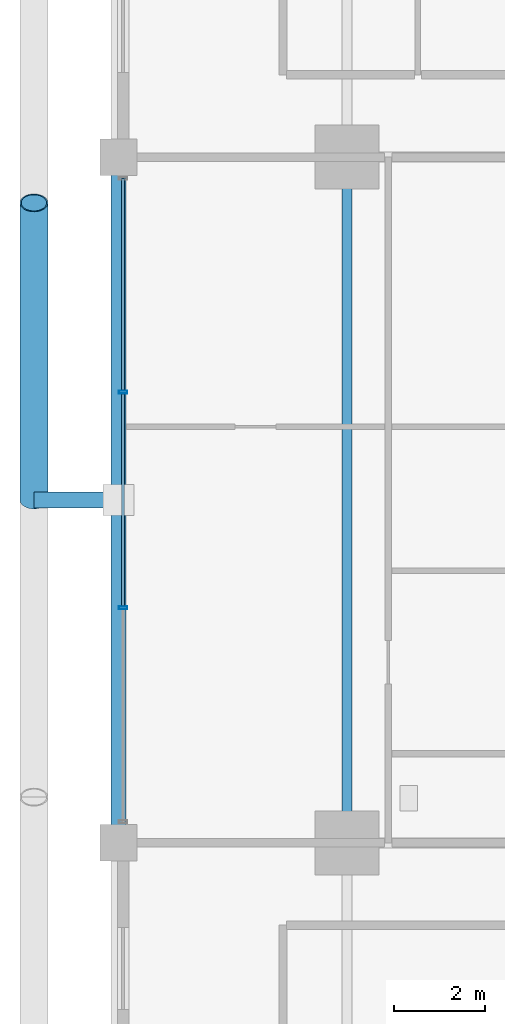
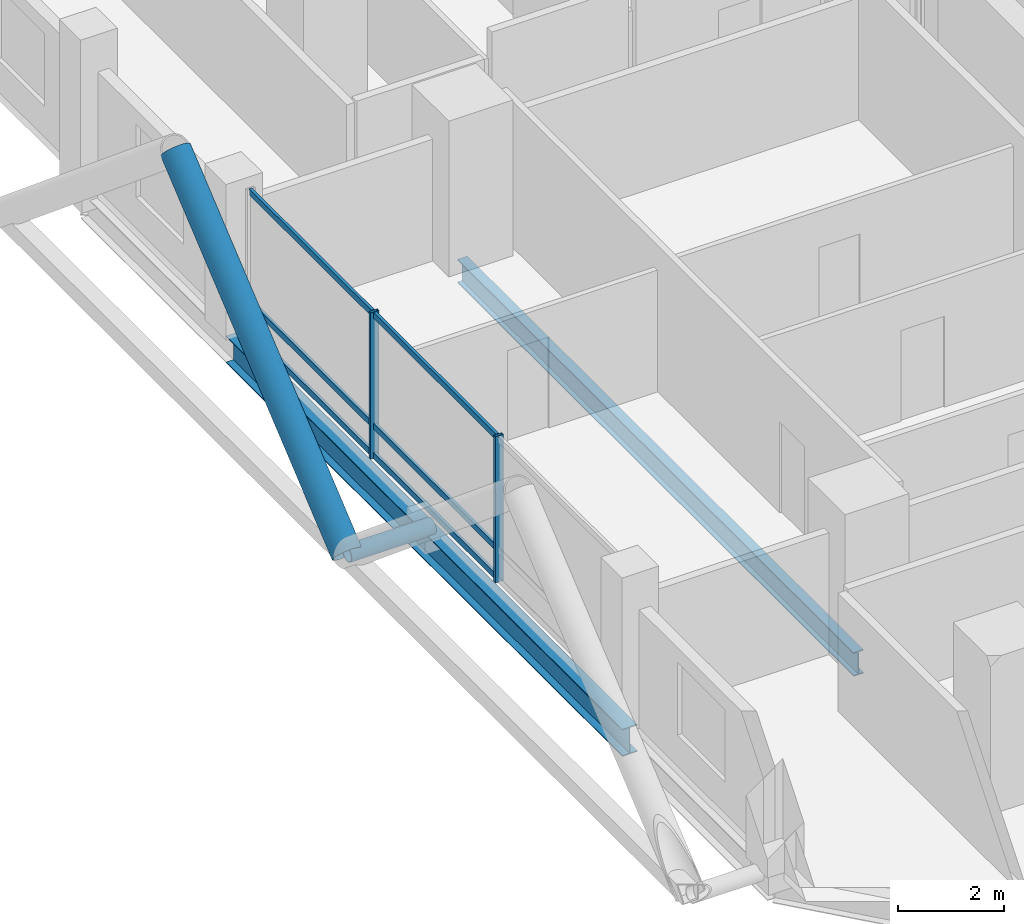
# One storey, part 8 of 28: 10 members, 2 beams, 1 element without a shape of its own.
"""IFC4 building model written with IfcOpenShell, lengths in metres."""

from ifc_helpers import new_model, si_unit, direction, frame, origin, origin_2d, place, context, subcontext, project, spatial, hollow_rectangle, hollow_circle, i_section, extrude, material, layer, layer_set, material_profile, profile_set, type_object, element, aggregate, save


model = new_model("IFC4")

# Units and contexts
model_context = context("Model", 3, precision=1e-05, world=origin(), true_north=direction((0.0, 1.0)))
body_context = subcontext(model_context, "Body", "Model", "MODEL_VIEW")
ifc_project = project(units=[si_unit("LENGTHUNIT", "METRE"), si_unit("AREAUNIT", "SQUARE_METRE"), si_unit("VOLUMEUNIT", "CUBIC_METRE"), si_unit("PLANEANGLEUNIT", "RADIAN"), si_unit("MASSUNIT", "GRAM", prefix="KILO")], contexts=[model_context])

# Site, building, storey
site_placement = place(None, origin())
site = spatial("IfcSite", under=ifc_project, at=site_placement, CompositionType="ELEMENT")
building_placement = place(site_placement, origin())
building = spatial("IfcBuilding", under=site, at=building_placement, Name="Barlavira Tower and Art Museum", CompositionType="ELEMENT")
storey_placement = place(building_placement, frame((0.0, 0.0, 39.60009765625)))
storey = spatial("IfcBuildingStorey", under=building, at=storey_placement, Name="L08", CompositionType="ELEMENT", Elevation=39.60009765625)

# Curtain wall, members
ifc_material_1 = material(Name="Low-iron coastal laminated glass", Category="glass")
ifc_layer = layer(ifc_material_1, 0.179931640625, Name="Low-iron coastal laminated glass")
ifc_layer_set = layer_set([ifc_layer], Name="Low-iron coastal laminated glass")
curtain_wall_type = type_object("IfcCurtainWallType", Name="Pale-Metal Unitised Curtain Wall Zone 1", PredefinedType="NOTDEFINED", material=ifc_layer_set)
curtain_wall_placement = place(storey_placement, origin())
curtain_wall = element("IfcCurtainWall", 1, at=curtain_wall_placement, inside=storey, type_object=curtain_wall_type, Name="L08 Curtain Wall CW1-L08-W-B3", PredefinedType="NOTDEFINED")
ifc_material_2 = material(Name="Pale anodised aluminium", Category="aluminium")
ifc_material_profile_1 = material_profile(ifc_material_2, hollow_rectangle(XDim=0.06494140625, YDim=0.179931640625, WallThickness=0.00390625, at=origin_2d()), Name="ALU-MULL 65x180x4")
ifc_profile_set_1 = profile_set([ifc_material_profile_1], Name="Pale anodised aluminium")
member_type_1 = type_object("IfcMemberType", Name="Curtain Wall Pale-Metal Mullion 65x180", PredefinedType="MULLION", material=ifc_profile_set_1)
member_1_placement = place(storey_placement, frame((-21.89990234375, 2.360107421875, 0.0), z_axis=(0.0, 0.0, 1.0), x_axis=(0.0, -1.0, 0.0)))
member_1 = element("IfcMember", 2, at=member_1_placement, type_object=member_type_1, Name="CW1-L08-W-B3 Mullion 1", PredefinedType="MULLION", context=body_context, shape_type="SweptSolid", body=[
    extrude(hollow_rectangle(XDim=0.06494140625, YDim=0.179931640625, WallThickness=0.00390625, at=origin_2d()), origin(), (0.0, 0.0, 1.0), 3.3798828125),
])
member_2_placement = place(storey_placement, frame((-21.89990234375, -2.360107421875, 0.0), z_axis=(0.0, 0.0, 1.0), x_axis=(0.0, -1.0, 0.0)))
member_2 = element("IfcMember", 3, at=member_2_placement, type_object=member_type_1, Name="CW1-L08-W-B3 Mullion 2", PredefinedType="MULLION", context=body_context, shape_type="SweptSolid", body=[
    extrude(hollow_rectangle(XDim=0.06494140625, YDim=0.179931640625, WallThickness=0.00390625, at=origin_2d()), origin(), (0.0, 0.0, 1.0), 3.3798828125),
])
ifc_material_profile_2 = material_profile(ifc_material_2, hollow_rectangle(XDim=0.06494140625, YDim=0.139892578125, WallThickness=0.00390625, at=origin_2d()), Name="ALU-TRAN 65x140x4")
ifc_profile_set_2 = profile_set([ifc_material_profile_2], Name="Pale anodised aluminium")
member_type_2 = type_object("IfcMemberType", Name="Curtain Wall Pale-Metal Transom 65x140", PredefinedType="USERDEFINED", material=ifc_profile_set_2)
member_3_placement = place(storey_placement, frame((-21.89990234375, 7.034912109375, 0.06982421875), z_axis=(0.0, -1.0, 0.0), x_axis=(1.0, 0.0, 0.0)))
member_3 = element("IfcMember", 4, at=member_3_placement, type_object=member_type_2, Name="CW1-L08-W-B3 Transom 0.1", ObjectType="TRANSOM", PredefinedType="USERDEFINED", context=body_context, shape_type="SweptSolid", body=[
    extrude(hollow_rectangle(XDim=0.06494140625, YDim=0.139892578125, WallThickness=0.00390625, at=origin_2d()), origin(), (0.0, 0.0, 1.0), 4.6298828125),
])
member_4_placement = place(storey_placement, frame((-21.89990234375, 7.034912109375, 0.743896484375), z_axis=(0.0, -1.0, 0.0), x_axis=(1.0, 0.0, 0.0)))
member_4 = element("IfcMember", 5, at=member_4_placement, type_object=member_type_2, Name="CW1-L08-W-B3 Transom 0.2", ObjectType="TRANSOM", PredefinedType="USERDEFINED", context=body_context, shape_type="SweptSolid", body=[
    extrude(hollow_rectangle(XDim=0.06494140625, YDim=0.139892578125, WallThickness=0.00390625, at=origin_2d()), origin(), (0.0, 0.0, 1.0), 4.6298828125),
])
member_5_placement = place(storey_placement, frame((-21.89990234375, 7.034912109375, 3.309814453125), z_axis=(0.0, -1.0, 0.0), x_axis=(1.0, 0.0, 0.0)))
member_5 = element("IfcMember", 6, at=member_5_placement, type_object=member_type_2, Name="CW1-L08-W-B3 Transom 0.3", ObjectType="TRANSOM", PredefinedType="USERDEFINED", context=body_context, shape_type="SweptSolid", body=[
    extrude(hollow_rectangle(XDim=0.06494140625, YDim=0.139892578125, WallThickness=0.00390625, at=origin_2d()), origin(), (0.0, 0.0, 1.0), 4.6298828125),
])
member_6_placement = place(storey_placement, frame((-21.89990234375, 2.31494140625, 0.06982421875), z_axis=(0.0, -1.0, 0.0), x_axis=(1.0, 0.0, 0.0)))
member_6 = element("IfcMember", 7, at=member_6_placement, type_object=member_type_2, Name="CW1-L08-W-B3 Transom 1.1", ObjectType="TRANSOM", PredefinedType="USERDEFINED", context=body_context, shape_type="SweptSolid", body=[
    extrude(hollow_rectangle(XDim=0.06494140625, YDim=0.139892578125, WallThickness=0.00390625, at=origin_2d()), origin(), (0.0, 0.0, 1.0), 4.6298828125),
])
member_7_placement = place(storey_placement, frame((-21.89990234375, 2.31494140625, 0.743896484375), z_axis=(0.0, -1.0, 0.0), x_axis=(1.0, 0.0, 0.0)))
member_7 = element("IfcMember", 8, at=member_7_placement, type_object=member_type_2, Name="CW1-L08-W-B3 Transom 1.2", ObjectType="TRANSOM", PredefinedType="USERDEFINED", context=body_context, shape_type="SweptSolid", body=[
    extrude(hollow_rectangle(XDim=0.06494140625, YDim=0.139892578125, WallThickness=0.00390625, at=origin_2d()), origin(), (0.0, 0.0, 1.0), 4.6298828125),
])
member_8_placement = place(storey_placement, frame((-21.89990234375, 2.31494140625, 3.309814453125), z_axis=(0.0, -1.0, 0.0), x_axis=(1.0, 0.0, 0.0)))
member_8 = element("IfcMember", 9, at=member_8_placement, type_object=member_type_2, Name="CW1-L08-W-B3 Transom 1.3", ObjectType="TRANSOM", PredefinedType="USERDEFINED", context=body_context, shape_type="SweptSolid", body=[
    extrude(hollow_rectangle(XDim=0.06494140625, YDim=0.139892578125, WallThickness=0.00390625, at=origin_2d()), origin(), (0.0, 0.0, 1.0), 4.6298828125),
])
aggregate(curtain_wall, [member_1, member_2, member_3, member_4, member_5, member_6, member_7, member_8])

# Members
ifc_material_3 = material(Name="Steel S355", Category="steel")
ifc_material_profile_3 = material_profile(ifc_material_3, hollow_circle(Radius=0.304931640625, WallThickness=0.028076171875, at=origin_2d()), Name="CHS 610.0x28.0")
ifc_profile_set_3 = profile_set([ifc_material_profile_3], Name="Steel S355")
member_type_3 = type_object("IfcMemberType", Name="Pale-Metal Exoskeleton Diagrid Tube CHS 610x28 Steel S355", PredefinedType="BRACE", material=ifc_profile_set_3)
member_9_placement = place(storey_placement, frame((-23.85009765625, 0.0, -0.1201171875), z_axis=(0.0, 0.769196053329, 0.639012857104), x_axis=(-1.0, 0.0, 0.0)))
element("IfcMember", 10, at=member_9_placement, inside=storey, type_object=member_type_3, Name="L08 Exoskeleton Diagrid Tube W", PredefinedType="BRACE", context=body_context, shape_type="SweptSolid", body=[
    extrude(hollow_circle(Radius=0.304931640625, WallThickness=0.028076171875, at=origin_2d()), origin(), (0.0, 0.0, 1.0), 8.450439453125),
])
ifc_material_profile_4 = material_profile(ifc_material_3, hollow_circle(Radius=0.177734375, WallThickness=0.01611328125, at=origin_2d()), Name="CHS 355.6x16.0")
ifc_profile_set_4 = profile_set([ifc_material_profile_4], Name="Steel S355")
member_type_4 = type_object("IfcMemberType", Name="Pale-Metal Exoskeleton Tie Strut CHS 356x16 Steel S355", PredefinedType="STRUT", material=ifc_profile_set_4)
member_10_placement = place(storey_placement, frame((-23.85009765625, 0.0, -0.1201171875), z_axis=(1.0, 0.0, 0.0), x_axis=(0.0, 1.0, 0.0)))
element("IfcMember", 11, at=member_10_placement, inside=storey, type_object=member_type_4, Name="L08 Exoskeleton Tie Strut W2", PredefinedType="STRUT", context=body_context, shape_type="SweptSolid", body=[
    extrude(hollow_circle(Radius=0.177734375, WallThickness=0.01611328125, at=origin_2d()), origin(), (0.0, 0.0, 1.0), 1.85009765625),
])

# Beams
ifc_material_profile_5 = material_profile(ifc_material_3, i_section(OverallWidth=0.327880859375, OverallDepth=0.62890625, WebThickness=0.013916015625, FlangeThickness=0.021484375, at=origin_2d()), Name="W610x174.0")
ifc_profile_set_5 = profile_set([ifc_material_profile_5], Name="Steel S355")
beam_type_1 = type_object("IfcBeamType", Name="Perimeter Spandrel Edge Beam W610x174 Steel S355", PredefinedType="SPANDREL", material=ifc_profile_set_5)
beam_1_placement = place(storey_placement, frame((-22.0, -7.5, -0.53466796875), z_axis=(0.0, 1.0, 0.0), x_axis=(-1.0, 0.0, 0.0)))
element("IfcBeam", 12, at=beam_1_placement, inside=storey, type_object=beam_type_1, Name="L08 Spandrel 14", PredefinedType="SPANDREL", context=body_context, shape_type="SweptSolid", body=[
    extrude(i_section(OverallWidth=0.327880859375, OverallDepth=0.62890625, WebThickness=0.013916015625, FlangeThickness=0.021484375, at=origin_2d()), origin(), (0.0, 0.0, 1.0), 15.0),
])
ifc_material_profile_6 = material_profile(ifc_material_3, i_section(OverallWidth=0.214111328125, OverallDepth=0.549072265625, WebThickness=0.0146484375, FlangeThickness=0.023681640625, at=origin_2d()), Name="W530x138.0")
ifc_profile_set_6 = profile_set([ifc_material_profile_6], Name="Steel S355")
beam_type_2 = type_object("IfcBeamType", Name="Zone 1 Primary Floor Girder W530x138 Steel S355", PredefinedType="BEAM", material=ifc_profile_set_6)
beam_2_placement = place(storey_placement, frame((-17.0, -7.5, -0.49462890625), z_axis=(0.0, 1.0, 0.0), x_axis=(-1.0, 0.0, 0.0)))
element("IfcBeam", 13, at=beam_2_placement, inside=storey, type_object=beam_type_2, Name="L08 Girder M-W2", PredefinedType="BEAM", context=body_context, shape_type="SweptSolid", body=[
    extrude(i_section(OverallWidth=0.214111328125, OverallDepth=0.549072265625, WebThickness=0.0146484375, FlangeThickness=0.023681640625, at=origin_2d()), origin(), (0.0, 0.0, 1.0), 15.0),
])

save(model, "model.ifc")
